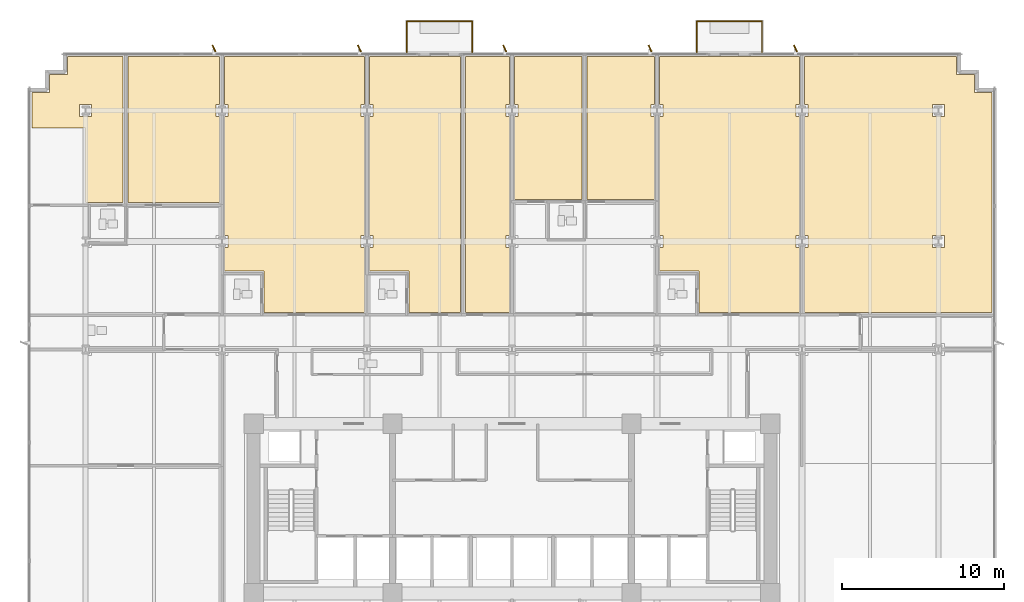
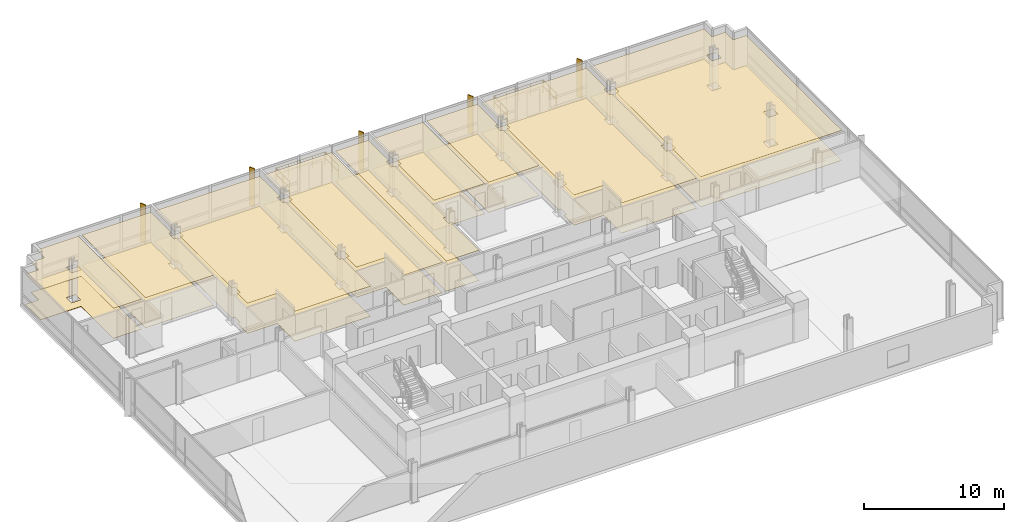
# One storey, part 14 of 15: 18 coverings, 6 railings, 5 shading devices.
"""IFC4 building model written with IfcOpenShell, lengths in metres."""

from ifc_helpers import new_model, si_unit, direction, frame, origin, origin_2d, place, context, subcontext, project, spatial, polyline, rectangle, circle, outline, extrude, material, layer, layer_set, type_object, element, save


model = new_model("IFC4")

# Units and contexts
model_context = context("Model", 3, precision=1e-05, world=origin(), true_north=direction((0.0, 1.0)))
body_context = subcontext(model_context, "Body", "Model", "MODEL_VIEW")
ifc_project = project(units=[si_unit("LENGTHUNIT", "METRE"), si_unit("AREAUNIT", "SQUARE_METRE"), si_unit("VOLUMEUNIT", "CUBIC_METRE"), si_unit("PLANEANGLEUNIT", "RADIAN"), si_unit("MASSUNIT", "GRAM", prefix="KILO")], contexts=[model_context])

# Site, building, storey
site_placement = place(None, origin())
site = spatial("IfcSite", under=ifc_project, at=site_placement, CompositionType="ELEMENT")
building_placement = place(site_placement, origin())
building = spatial("IfcBuilding", under=site, at=building_placement, Name="Solmavex Isthmus Hotel", CompositionType="ELEMENT")
storey_placement = place(building_placement, frame((0.0, 0.0, 33.300048828125)))
storey = spatial("IfcBuildingStorey", under=building, at=storey_placement, Name="L08", CompositionType="ELEMENT", Elevation=33.300048828125)

# Coverings
ifc_material_1 = material(Name="Gypsum plasterboard lining", Category="gypsum")
ifc_layer_1 = layer(ifc_material_1, 0.030029296875)
ifc_layer_set_1 = layer_set([ifc_layer_1], Name="Gypsum plasterboard lining")
covering_type_1 = type_object("IfcCoveringType", Name="COV-CEIL-GYP", PredefinedType="CEILING", material=ifc_layer_set_1)
covering_1_placement = place(storey_placement, frame((0.0, 0.0, 2.619873046875)))
element("IfcCovering", 1, at=covering_1_placement, inside=storey, type_object=covering_type_1, Name="Suspended Acoustic Ceiling L08-HB01", PredefinedType="CEILING", context=body_context, shape_type="SweptSolid", body=[
    extrude(outline(polyline([(-28.625, 18.02490234375), (-29.72509765625, 18.02490234375), (-29.72509765625, 15.800048828125), (-26.39990234375, 15.800048828125), (-26.39990234375, 11.193115234375), (-24.071044921875, 11.193115234375), (-24.071044921875, 20.22509765625), (-27.52490234375, 20.22509765625), (-27.52490234375, 19.125), (-28.625, 19.125), (-28.625, 18.02490234375)]), holes=[polyline([(-26.780029296875, 17.280029296875), (-26.02001953125, 17.280029296875), (-26.02001953125, 16.52001953125), (-26.780029296875, 16.52001953125), (-26.780029296875, 17.280029296875)])]), origin(), (0.0, 0.0, 1.0), 0.030029296875),
])
covering_2_placement = place(storey_placement, frame((0.0, 0.0, 2.619873046875)))
element("IfcCovering", 2, at=covering_2_placement, inside=storey, type_object=covering_type_1, Name="Suspended Acoustic Ceiling L08-HP01", PredefinedType="CEILING", context=body_context, shape_type="SweptSolid", body=[
    extrude(outline(polyline([(-18.10693359375, 16.52001953125), (-18.33203125, 16.52001953125), (-18.33203125, 17.280029296875), (-18.10693359375, 17.280029296875), (-18.10693359375, 20.22509765625), (-23.760986328125, 20.22509765625), (-23.760986328125, 11.193115234375), (-18.10693359375, 11.193115234375), (-18.10693359375, 16.52001953125)])), origin(), (0.0, 0.0, 1.0), 0.030029296875),
])
covering_3_placement = place(storey_placement, frame((0.0, 0.0, 2.619873046875)))
element("IfcCovering", 3, at=covering_3_placement, inside=storey, type_object=covering_type_1, Name="Suspended Acoustic Ceiling L08-RM02", PredefinedType="CEILING", context=body_context, shape_type="SweptSolid", body=[
    extrude(outline(polyline([(-17.797119140625, 9.16796875), (-17.572021484375, 9.16796875), (-17.572021484375, 8.407958984375), (-17.797119140625, 8.407958984375), (-17.797119140625, 6.955078125), (-15.346923828125, 6.955078125), (-15.346923828125, 4.405029296875), (-9.131103515625, 4.405029296875), (-9.131103515625, 8.407958984375), (-9.35595703125, 8.407958984375), (-9.35595703125, 9.16796875), (-9.131103515625, 9.16796875), (-9.131103515625, 16.52001953125), (-9.35595703125, 16.52001953125), (-9.35595703125, 17.280029296875), (-9.131103515625, 17.280029296875), (-9.131103515625, 20.22509765625), (-17.797119140625, 20.22509765625), (-17.797119140625, 17.280029296875), (-17.572021484375, 17.280029296875), (-17.572021484375, 16.52001953125), (-17.797119140625, 16.52001953125), (-17.797119140625, 9.16796875)])), origin(), (0.0, 0.0, 1.0), 0.030029296875),
])
covering_4_placement = place(storey_placement, frame((0.0, 0.0, 2.619873046875)))
element("IfcCovering", 4, at=covering_4_placement, inside=storey, type_object=covering_type_1, Name="Suspended Acoustic Ceiling L08-RM03", PredefinedType="CEILING", context=body_context, shape_type="SweptSolid", body=[
    extrude(outline(polyline([(-8.821044921875, 9.16796875), (-8.595947265625, 9.16796875), (-8.595947265625, 8.407958984375), (-8.821044921875, 8.407958984375), (-8.821044921875, 6.955078125), (-6.37109375, 6.955078125), (-6.37109375, 4.405029296875), (-3.193115234375, 4.405029296875), (-3.193115234375, 20.22509765625), (-8.821044921875, 20.22509765625), (-8.821044921875, 17.280029296875), (-8.595947265625, 17.280029296875), (-8.595947265625, 16.52001953125), (-8.821044921875, 16.52001953125), (-8.821044921875, 9.16796875)])), origin(), (0.0, 0.0, 1.0), 0.030029296875),
])
covering_5_placement = place(storey_placement, frame((0.0, 0.0, 2.619873046875)))
element("IfcCovering", 5, at=covering_5_placement, inside=storey, type_object=covering_type_1, Name="Suspended Acoustic Ceiling L08-RM04", PredefinedType="CEILING", context=body_context, shape_type="SweptSolid", body=[
    extrude(outline(polyline([(-0.155029296875, 16.52001953125), (-0.3798828125, 16.52001953125), (-0.3798828125, 17.280029296875), (-0.155029296875, 17.280029296875), (-0.155029296875, 20.22509765625), (-2.883056640625, 20.22509765625), (-2.883056640625, 4.405029296875), (-0.155029296875, 4.405029296875), (-0.155029296875, 8.407958984375), (-0.3798828125, 8.407958984375), (-0.3798828125, 9.16796875), (-0.155029296875, 9.16796875), (-0.155029296875, 16.52001953125)])), origin(), (0.0, 0.0, 1.0), 0.030029296875),
])
covering_6_placement = place(storey_placement, frame((0.0, 0.0, 2.619873046875)))
element("IfcCovering", 6, at=covering_6_placement, inside=storey, type_object=covering_type_1, Name="Suspended Acoustic Ceiling L08-TB05", PredefinedType="CEILING", context=body_context, shape_type="SweptSolid", body=[
    extrude(outline(polyline([(0.155029296875, 17.280029296875), (0.3798828125, 17.280029296875), (0.3798828125, 16.52001953125), (0.155029296875, 16.52001953125), (0.155029296875, 11.39306640625), (4.3330078125, 11.39306640625), (4.3330078125, 20.22509765625), (0.155029296875, 20.22509765625), (0.155029296875, 17.280029296875)])), origin(), (0.0, 0.0, 1.0), 0.030029296875),
])
covering_7_placement = place(storey_placement, frame((0.0, 0.0, 2.619873046875)))
element("IfcCovering", 7, at=covering_7_placement, inside=storey, type_object=covering_type_1, Name="Suspended Acoustic Ceiling L08-TL05", PredefinedType="CEILING", context=body_context, shape_type="SweptSolid", body=[
    extrude(outline(polyline([(8.821044921875, 16.52001953125), (8.595947265625, 16.52001953125), (8.595947265625, 17.280029296875), (8.821044921875, 17.280029296875), (8.821044921875, 20.22509765625), (4.64306640625, 20.22509765625), (4.64306640625, 11.39306640625), (8.821044921875, 11.39306640625), (8.821044921875, 16.52001953125)])), origin(), (0.0, 0.0, 1.0), 0.030029296875),
])
covering_8_placement = place(storey_placement, frame((0.0, 0.0, 2.619873046875)))
element("IfcCovering", 8, at=covering_8_placement, inside=storey, type_object=covering_type_1, Name="Suspended Acoustic Ceiling L08-RM06", PredefinedType="CEILING", context=body_context, shape_type="SweptSolid", body=[
    extrude(outline(polyline([(9.131103515625, 9.16796875), (9.35595703125, 9.16796875), (9.35595703125, 8.407958984375), (9.131103515625, 8.407958984375), (9.131103515625, 6.955078125), (11.5810546875, 6.955078125), (11.5810546875, 4.405029296875), (17.797119140625, 4.405029296875), (17.797119140625, 8.407958984375), (17.572021484375, 8.407958984375), (17.572021484375, 9.16796875), (17.797119140625, 9.16796875), (17.797119140625, 16.52001953125), (17.572021484375, 16.52001953125), (17.572021484375, 17.280029296875), (17.797119140625, 17.280029296875), (17.797119140625, 20.22509765625), (9.131103515625, 20.22509765625), (9.131103515625, 17.280029296875), (9.35595703125, 17.280029296875), (9.35595703125, 16.52001953125), (9.131103515625, 16.52001953125), (9.131103515625, 9.16796875)])), origin(), (0.0, 0.0, 1.0), 0.030029296875),
])
covering_9_placement = place(storey_placement, frame((0.0, 0.0, 2.619873046875)))
element("IfcCovering", 9, at=covering_9_placement, inside=storey, type_object=covering_type_1, Name="Suspended Acoustic Ceiling L08-RM07", PredefinedType="CEILING", context=body_context, shape_type="SweptSolid", body=[
    extrude(outline(polyline([(18.10693359375, 9.16796875), (18.33203125, 9.16796875), (18.33203125, 8.407958984375), (18.10693359375, 8.407958984375), (18.10693359375, 4.405029296875), (21.70703125, 4.405029296875), (21.70703125, 4.385009765625), (29.72509765625, 4.385009765625), (29.72509765625, 18.02490234375), (28.625, 18.02490234375), (28.625, 19.125), (27.52490234375, 19.125), (27.52490234375, 20.22509765625), (18.10693359375, 20.22509765625), (18.10693359375, 17.280029296875), (18.33203125, 17.280029296875), (18.33203125, 16.52001953125), (18.10693359375, 16.52001953125), (18.10693359375, 9.16796875)]), holes=[polyline([(26.02001953125, 8.407958984375), (26.02001953125, 9.16796875), (26.780029296875, 9.16796875), (26.780029296875, 8.407958984375), (26.02001953125, 8.407958984375)]), polyline([(26.02001953125, 16.52001953125), (26.02001953125, 17.280029296875), (26.780029296875, 17.280029296875), (26.780029296875, 16.52001953125), (26.02001953125, 16.52001953125)])]), origin(), (0.0, 0.0, 1.0), 0.030029296875),
])
ifc_material_2 = material(Name="Travertine natural stone", Category="masonry")
ifc_layer_2 = layer(ifc_material_2, 0.02490234375)
ifc_layer_set_2 = layer_set([ifc_layer_2], Name="Travertine natural stone")
covering_type_2 = type_object("IfcCoveringType", Name="COV-FLOR-STN", PredefinedType="FLOORING", material=ifc_layer_set_2)
covering_10_placement = place(storey_placement, origin())
element("IfcCovering", 10, at=covering_10_placement, inside=storey, type_object=covering_type_2, Name="Stone and Timber Floor Finish L08-HB01", PredefinedType="FLOORING", context=body_context, shape_type="SweptSolid", body=[
    extrude(outline(polyline([(-28.625, 18.02490234375), (-29.72509765625, 18.02490234375), (-29.72509765625, 15.800048828125), (-26.39990234375, 15.800048828125), (-26.39990234375, 11.193115234375), (-24.071044921875, 11.193115234375), (-24.071044921875, 20.22509765625), (-27.52490234375, 20.22509765625), (-27.52490234375, 19.125), (-28.625, 19.125), (-28.625, 18.02490234375)]), holes=[polyline([(-26.780029296875, 17.280029296875), (-26.02001953125, 17.280029296875), (-26.02001953125, 16.52001953125), (-26.780029296875, 16.52001953125), (-26.780029296875, 17.280029296875)])]), origin(), (0.0, 0.0, 1.0), 0.02490234375),
])
covering_11_placement = place(storey_placement, origin())
element("IfcCovering", 11, at=covering_11_placement, inside=storey, type_object=covering_type_2, Name="Stone and Timber Floor Finish L08-HP01", PredefinedType="FLOORING", context=body_context, shape_type="SweptSolid", body=[
    extrude(outline(polyline([(-18.10693359375, 16.52001953125), (-18.33203125, 16.52001953125), (-18.33203125, 17.280029296875), (-18.10693359375, 17.280029296875), (-18.10693359375, 20.22509765625), (-23.760986328125, 20.22509765625), (-23.760986328125, 11.193115234375), (-18.10693359375, 11.193115234375), (-18.10693359375, 16.52001953125)])), origin(), (0.0, 0.0, 1.0), 0.02490234375),
])
covering_12_placement = place(storey_placement, origin())
element("IfcCovering", 12, at=covering_12_placement, inside=storey, type_object=covering_type_2, Name="Stone and Timber Floor Finish L08-RM02", PredefinedType="FLOORING", context=body_context, shape_type="SweptSolid", body=[
    extrude(outline(polyline([(-17.797119140625, 9.16796875), (-17.572021484375, 9.16796875), (-17.572021484375, 8.407958984375), (-17.797119140625, 8.407958984375), (-17.797119140625, 6.955078125), (-15.346923828125, 6.955078125), (-15.346923828125, 4.405029296875), (-9.131103515625, 4.405029296875), (-9.131103515625, 8.407958984375), (-9.35595703125, 8.407958984375), (-9.35595703125, 9.16796875), (-9.131103515625, 9.16796875), (-9.131103515625, 16.52001953125), (-9.35595703125, 16.52001953125), (-9.35595703125, 17.280029296875), (-9.131103515625, 17.280029296875), (-9.131103515625, 20.22509765625), (-17.797119140625, 20.22509765625), (-17.797119140625, 17.280029296875), (-17.572021484375, 17.280029296875), (-17.572021484375, 16.52001953125), (-17.797119140625, 16.52001953125), (-17.797119140625, 9.16796875)])), origin(), (0.0, 0.0, 1.0), 0.02490234375),
])
covering_13_placement = place(storey_placement, origin())
element("IfcCovering", 13, at=covering_13_placement, inside=storey, type_object=covering_type_2, Name="Stone and Timber Floor Finish L08-RM03", PredefinedType="FLOORING", context=body_context, shape_type="SweptSolid", body=[
    extrude(outline(polyline([(-8.821044921875, 9.16796875), (-8.595947265625, 9.16796875), (-8.595947265625, 8.407958984375), (-8.821044921875, 8.407958984375), (-8.821044921875, 6.955078125), (-6.37109375, 6.955078125), (-6.37109375, 4.405029296875), (-3.193115234375, 4.405029296875), (-3.193115234375, 20.22509765625), (-8.821044921875, 20.22509765625), (-8.821044921875, 17.280029296875), (-8.595947265625, 17.280029296875), (-8.595947265625, 16.52001953125), (-8.821044921875, 16.52001953125), (-8.821044921875, 9.16796875)])), origin(), (0.0, 0.0, 1.0), 0.02490234375),
])
covering_14_placement = place(storey_placement, origin())
element("IfcCovering", 14, at=covering_14_placement, inside=storey, type_object=covering_type_2, Name="Stone and Timber Floor Finish L08-RM04", PredefinedType="FLOORING", context=body_context, shape_type="SweptSolid", body=[
    extrude(outline(polyline([(-0.155029296875, 16.52001953125), (-0.3798828125, 16.52001953125), (-0.3798828125, 17.280029296875), (-0.155029296875, 17.280029296875), (-0.155029296875, 20.22509765625), (-2.883056640625, 20.22509765625), (-2.883056640625, 4.405029296875), (-0.155029296875, 4.405029296875), (-0.155029296875, 8.407958984375), (-0.3798828125, 8.407958984375), (-0.3798828125, 9.16796875), (-0.155029296875, 9.16796875), (-0.155029296875, 16.52001953125)])), origin(), (0.0, 0.0, 1.0), 0.02490234375),
])
covering_15_placement = place(storey_placement, origin())
element("IfcCovering", 15, at=covering_15_placement, inside=storey, type_object=covering_type_2, Name="Stone and Timber Floor Finish L08-TB05", PredefinedType="FLOORING", context=body_context, shape_type="SweptSolid", body=[
    extrude(outline(polyline([(0.155029296875, 17.280029296875), (0.3798828125, 17.280029296875), (0.3798828125, 16.52001953125), (0.155029296875, 16.52001953125), (0.155029296875, 11.39306640625), (4.3330078125, 11.39306640625), (4.3330078125, 20.22509765625), (0.155029296875, 20.22509765625), (0.155029296875, 17.280029296875)])), origin(), (0.0, 0.0, 1.0), 0.02490234375),
])
covering_16_placement = place(storey_placement, origin())
element("IfcCovering", 16, at=covering_16_placement, inside=storey, type_object=covering_type_2, Name="Stone and Timber Floor Finish L08-TL05", PredefinedType="FLOORING", context=body_context, shape_type="SweptSolid", body=[
    extrude(outline(polyline([(8.821044921875, 16.52001953125), (8.595947265625, 16.52001953125), (8.595947265625, 17.280029296875), (8.821044921875, 17.280029296875), (8.821044921875, 20.22509765625), (4.64306640625, 20.22509765625), (4.64306640625, 11.39306640625), (8.821044921875, 11.39306640625), (8.821044921875, 16.52001953125)])), origin(), (0.0, 0.0, 1.0), 0.02490234375),
])
covering_17_placement = place(storey_placement, origin())
element("IfcCovering", 17, at=covering_17_placement, inside=storey, type_object=covering_type_2, Name="Stone and Timber Floor Finish L08-RM06", PredefinedType="FLOORING", context=body_context, shape_type="SweptSolid", body=[
    extrude(outline(polyline([(9.131103515625, 9.16796875), (9.35595703125, 9.16796875), (9.35595703125, 8.407958984375), (9.131103515625, 8.407958984375), (9.131103515625, 6.955078125), (11.5810546875, 6.955078125), (11.5810546875, 4.405029296875), (17.797119140625, 4.405029296875), (17.797119140625, 8.407958984375), (17.572021484375, 8.407958984375), (17.572021484375, 9.16796875), (17.797119140625, 9.16796875), (17.797119140625, 16.52001953125), (17.572021484375, 16.52001953125), (17.572021484375, 17.280029296875), (17.797119140625, 17.280029296875), (17.797119140625, 20.22509765625), (9.131103515625, 20.22509765625), (9.131103515625, 17.280029296875), (9.35595703125, 17.280029296875), (9.35595703125, 16.52001953125), (9.131103515625, 16.52001953125), (9.131103515625, 9.16796875)])), origin(), (0.0, 0.0, 1.0), 0.02490234375),
])
covering_18_placement = place(storey_placement, origin())
element("IfcCovering", 18, at=covering_18_placement, inside=storey, type_object=covering_type_2, Name="Stone and Timber Floor Finish L08-RM07", PredefinedType="FLOORING", context=body_context, shape_type="SweptSolid", body=[
    extrude(outline(polyline([(18.10693359375, 9.16796875), (18.33203125, 9.16796875), (18.33203125, 8.407958984375), (18.10693359375, 8.407958984375), (18.10693359375, 4.405029296875), (21.70703125, 4.405029296875), (21.70703125, 4.385009765625), (29.72509765625, 4.385009765625), (29.72509765625, 18.02490234375), (28.625, 18.02490234375), (28.625, 19.125), (27.52490234375, 19.125), (27.52490234375, 20.22509765625), (18.10693359375, 20.22509765625), (18.10693359375, 17.280029296875), (18.33203125, 17.280029296875), (18.33203125, 16.52001953125), (18.10693359375, 16.52001953125), (18.10693359375, 9.16796875)]), holes=[polyline([(26.02001953125, 8.407958984375), (26.02001953125, 9.16796875), (26.780029296875, 9.16796875), (26.780029296875, 8.407958984375), (26.02001953125, 8.407958984375)]), polyline([(26.02001953125, 16.52001953125), (26.02001953125, 17.280029296875), (26.780029296875, 17.280029296875), (26.780029296875, 16.52001953125), (26.02001953125, 16.52001953125)])]), origin(), (0.0, 0.0, 1.0), 0.02490234375),
])

# Railings
ifc_material_3 = material(Name="Clear low-E laminated glass", Category="glass")
ifc_layer_3 = layer(ifc_material_3, 0.070068359375)
ifc_layer_set_3 = layer_set([ifc_layer_3], Name="Clear low-E laminated glass")
railing_type = type_object("IfcRailingType", Name="RAIL-GUARD-1100", PredefinedType="BALUSTRADE", material=ifc_layer_set_3)
railing_1_placement = place(storey_placement, frame((-6.508056640625, 20.5, 0.0)))
element("IfcRailing", 19, at=railing_1_placement, inside=storey, type_object=railing_type, Name="Guardrail Balustrade L08-BAL1-01", PredefinedType="BALUSTRADE", context=body_context, shape_type="SweptSolid", body=[
    extrude(circle(Radius=0.02392578125, at=origin_2d()), frame((0.0, 0.0, 1.09619140625), z_axis=(0.0, 1.0, 0.0), x_axis=(-1.0, 0.0, 0.0)), (0.0, 0.0, 1.0), 1.919921875),
    extrude(circle(Radius=0.02392578125, at=origin_2d()), frame((0.0, 0.0, 0.56005859375), z_axis=(0.0, 1.0, 0.0), x_axis=(-1.0, 0.0, 0.0)), (0.0, 0.0, 1.0), 1.919921875),
    extrude(circle(Radius=0.02099609375, at=origin_2d()), origin(), (0.0, 0.0, 1.0), 1.072021484375),
    extrude(circle(Radius=0.02099609375, at=origin_2d()), frame((0.0, 0.9599609375, 0.0)), (0.0, 0.0, 1.0), 1.072021484375),
    extrude(circle(Radius=0.02099609375, at=origin_2d()), frame((0.0, 1.919921875, 0.0)), (0.0, 0.0, 1.0), 1.072021484375),
])
railing_2_placement = place(storey_placement, frame((-6.508056640625, 22.419921875, 0.0)))
element("IfcRailing", 20, at=railing_2_placement, inside=storey, type_object=railing_type, Name="Guardrail Balustrade L08-BAL1-02", PredefinedType="BALUSTRADE", context=body_context, shape_type="SweptSolid", body=[
    extrude(circle(Radius=0.02392578125, at=origin_2d()), frame((0.0, 0.0, 1.09619140625), z_axis=(1.0, 0.0, 0.0), x_axis=(0.0, 1.0, 0.0)), (0.0, 0.0, 1.0), 4.0400390625),
    extrude(circle(Radius=0.02392578125, at=origin_2d()), frame((0.0, 0.0, 0.56005859375), z_axis=(1.0, 0.0, 0.0), x_axis=(0.0, 1.0, 0.0)), (0.0, 0.0, 1.0), 4.0400390625),
    extrude(circle(Radius=0.02099609375, at=origin_2d()), origin(), (0.0, 0.0, 1.0), 1.072021484375),
    extrude(circle(Radius=0.02099609375, at=origin_2d()), frame((1.010009765625, 0.0, 0.0)), (0.0, 0.0, 1.0), 1.072021484375),
    extrude(circle(Radius=0.02099609375, at=origin_2d()), frame((2.02001953125, 0.0, 0.0)), (0.0, 0.0, 1.0), 1.072021484375),
    extrude(circle(Radius=0.02099609375, at=origin_2d()), frame((3.030029296875, 0.0, 0.0)), (0.0, 0.0, 1.0), 1.072021484375),
    extrude(circle(Radius=0.02099609375, at=origin_2d()), frame((4.0400390625, 0.0, 0.0)), (0.0, 0.0, 1.0), 1.072021484375),
])
railing_3_placement = place(storey_placement, frame((-2.468017578125, 22.419921875, 0.0)))
element("IfcRailing", 21, at=railing_3_placement, inside=storey, type_object=railing_type, Name="Guardrail Balustrade L08-BAL1-03", PredefinedType="BALUSTRADE", context=body_context, shape_type="SweptSolid", body=[
    extrude(circle(Radius=0.02392578125, at=origin_2d()), frame((0.0, 0.0, 1.09619140625), z_axis=(0.0, -1.0, 0.0), x_axis=(1.0, 0.0, 0.0)), (0.0, 0.0, 1.0), 1.919921875),
    extrude(circle(Radius=0.02392578125, at=origin_2d()), frame((0.0, 0.0, 0.56005859375), z_axis=(0.0, -1.0, 0.0), x_axis=(1.0, 0.0, 0.0)), (0.0, 0.0, 1.0), 1.919921875),
    extrude(circle(Radius=0.02099609375, at=origin_2d()), origin(), (0.0, 0.0, 1.0), 1.072021484375),
    extrude(circle(Radius=0.02099609375, at=origin_2d()), frame((0.0, -0.9599609375, 0.0)), (0.0, 0.0, 1.0), 1.072021484375),
    extrude(circle(Radius=0.02099609375, at=origin_2d()), frame((0.0, -1.919921875, 0.0)), (0.0, 0.0, 1.0), 1.072021484375),
])
railing_4_placement = place(storey_placement, frame((11.444091796875, 20.5, 0.0)))
element("IfcRailing", 22, at=railing_4_placement, inside=storey, type_object=railing_type, Name="Guardrail Balustrade L08-BAL2-01", PredefinedType="BALUSTRADE", context=body_context, shape_type="SweptSolid", body=[
    extrude(circle(Radius=0.02392578125, at=origin_2d()), frame((0.0, 0.0, 1.09619140625), z_axis=(0.0, 1.0, 0.0), x_axis=(-1.0, 0.0, 0.0)), (0.0, 0.0, 1.0), 1.919921875),
    extrude(circle(Radius=0.02392578125, at=origin_2d()), frame((0.0, 0.0, 0.56005859375), z_axis=(0.0, 1.0, 0.0), x_axis=(-1.0, 0.0, 0.0)), (0.0, 0.0, 1.0), 1.919921875),
    extrude(circle(Radius=0.02099609375, at=origin_2d()), origin(), (0.0, 0.0, 1.0), 1.072021484375),
    extrude(circle(Radius=0.02099609375, at=origin_2d()), frame((0.0, 0.9599609375, 0.0)), (0.0, 0.0, 1.0), 1.072021484375),
    extrude(circle(Radius=0.02099609375, at=origin_2d()), frame((0.0, 1.919921875, 0.0)), (0.0, 0.0, 1.0), 1.072021484375),
])
railing_5_placement = place(storey_placement, frame((11.444091796875, 22.419921875, 0.0)))
element("IfcRailing", 23, at=railing_5_placement, inside=storey, type_object=railing_type, Name="Guardrail Balustrade L08-BAL2-02", PredefinedType="BALUSTRADE", context=body_context, shape_type="SweptSolid", body=[
    extrude(circle(Radius=0.02392578125, at=origin_2d()), frame((0.0, 0.0, 1.09619140625), z_axis=(1.0, 0.0, 0.0), x_axis=(0.0, 1.0, 0.0)), (0.0, 0.0, 1.0), 4.039794921875),
    extrude(circle(Radius=0.02392578125, at=origin_2d()), frame((0.0, 0.0, 0.56005859375), z_axis=(1.0, 0.0, 0.0), x_axis=(0.0, 1.0, 0.0)), (0.0, 0.0, 1.0), 4.039794921875),
    extrude(circle(Radius=0.02099609375, at=origin_2d()), origin(), (0.0, 0.0, 1.0), 1.072021484375),
    extrude(circle(Radius=0.02099609375, at=origin_2d()), frame((1.010009765625, 0.0, 0.0)), (0.0, 0.0, 1.0), 1.072021484375),
    extrude(circle(Radius=0.02099609375, at=origin_2d()), frame((2.02001953125, 0.0, 0.0)), (0.0, 0.0, 1.0), 1.072021484375),
    extrude(circle(Radius=0.02099609375, at=origin_2d()), frame((3.02978515625, 0.0, 0.0)), (0.0, 0.0, 1.0), 1.072021484375),
    extrude(circle(Radius=0.02099609375, at=origin_2d()), frame((4.039794921875, 0.0, 0.0)), (0.0, 0.0, 1.0), 1.072021484375),
])
railing_6_placement = place(storey_placement, frame((15.48388671875, 22.419921875, 0.0)))
element("IfcRailing", 24, at=railing_6_placement, inside=storey, type_object=railing_type, Name="Guardrail Balustrade L08-BAL2-03", PredefinedType="BALUSTRADE", context=body_context, shape_type="SweptSolid", body=[
    extrude(circle(Radius=0.02392578125, at=origin_2d()), frame((0.0, 0.0, 1.09619140625), z_axis=(0.0, -1.0, 0.0), x_axis=(1.0, 0.0, 0.0)), (0.0, 0.0, 1.0), 1.919921875),
    extrude(circle(Radius=0.02392578125, at=origin_2d()), frame((0.0, 0.0, 0.56005859375), z_axis=(0.0, -1.0, 0.0), x_axis=(1.0, 0.0, 0.0)), (0.0, 0.0, 1.0), 1.919921875),
    extrude(circle(Radius=0.02099609375, at=origin_2d()), origin(), (0.0, 0.0, 1.0), 1.072021484375),
    extrude(circle(Radius=0.02099609375, at=origin_2d()), frame((0.0, -0.9599609375, 0.0)), (0.0, 0.0, 1.0), 1.072021484375),
    extrude(circle(Radius=0.02099609375, at=origin_2d()), frame((0.0, -1.919921875, 0.0)), (0.0, 0.0, 1.0), 1.072021484375),
])

# Shading devices
ifc_material_4 = material(Name="Aluminium alloy 6063-T6", Category="aluminium")
shading_device_type = type_object("IfcShadingDeviceType", Name="SHD-FIN-BRONZE", PredefinedType="USERDEFINED", material=ifc_material_4)
for number, where, z_axis, x_axis, name in (
    (25, (-18.449951171875, 20.739990234375, -0.14013671875), (0.0, 0.0, 1.0), (-0.438371146789, 0.898794046299, 0.0), "Anodised Aluminium Solar Fin L08-N1"),
    (26, (-9.449951171875, 20.739990234375, -0.14013671875), (0.0, 0.0, 1.0), (-0.438371146789, 0.898794046299, 0.0), "Anodised Aluminium Solar Fin L08-N2"),
    (27, (-0.449951171875, 20.739990234375, -0.14013671875), (0.0, 0.0, 1.0), (-0.438371146789, 0.898794046299, 0.0), "Anodised Aluminium Solar Fin L08-N3"),
    (28, (8.550048828125, 20.739990234375, -0.14013671875), (0.0, 0.0, 1.0), (-0.438371146789, 0.898794046299, 0.0), "Anodised Aluminium Solar Fin L08-N4"),
    (29, (17.550048828125, 20.739990234375, -0.14013671875), (0.0, 0.0, 1.0), (-0.438371146789, 0.898794046299, 0.0), "Anodised Aluminium Solar Fin L08-N5"),
):
    element("IfcShadingDevice", number, at=place(storey_placement, frame(where, z_axis=z_axis, x_axis=x_axis)), inside=storey, type_object=shading_device_type, Name=name, ObjectType="SOLAR_FIN", PredefinedType="USERDEFINED", context=body_context, shape_type="SweptSolid", body=[
        extrude(rectangle(XDim=0.449951171875, YDim=0.080078125, at=origin_2d()), origin(), (0.0, 0.0, 1.0), 3.330078125),
    ])

save(model, "model.ifc")
